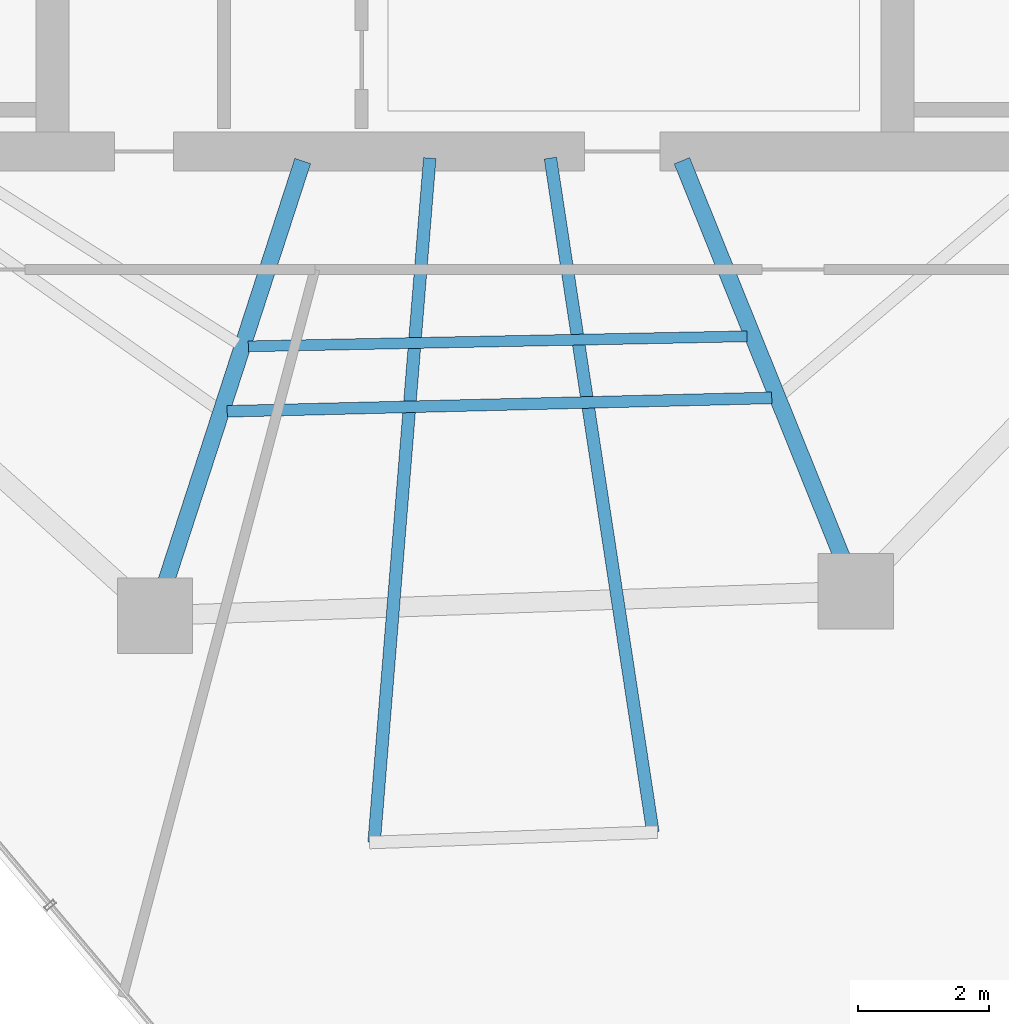
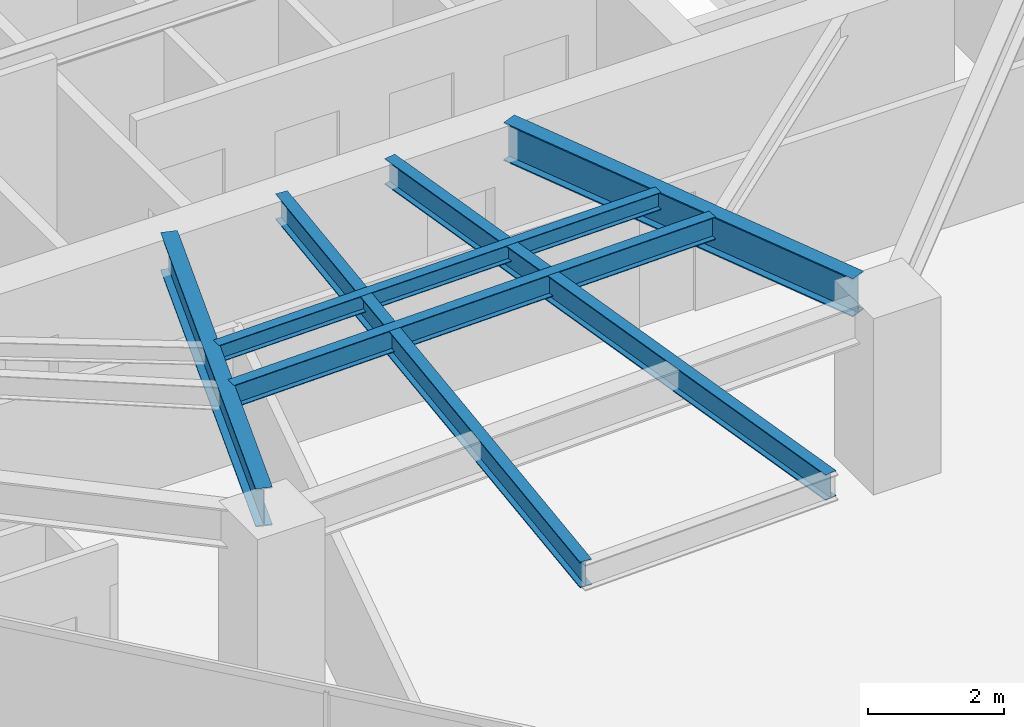
# One storey, part 6 of 27: 6 beams.
"""IFC4 building model written with IfcOpenShell, lengths in metres."""

from ifc_helpers import new_model, si_unit, direction, frame, origin, origin_2d, place, context, subcontext, project, spatial, i_section, extrude, material, material_profile, profile_set, type_object, element, save


model = new_model("IFC4")

# Units and contexts
model_context = context("Model", 3, precision=1e-05, world=origin(), true_north=direction((0.0, 1.0)))
body_context = subcontext(model_context, "Body", "Model", "MODEL_VIEW")
ifc_project = project(units=[si_unit("LENGTHUNIT", "METRE"), si_unit("AREAUNIT", "SQUARE_METRE"), si_unit("VOLUMEUNIT", "CUBIC_METRE"), si_unit("PLANEANGLEUNIT", "RADIAN"), si_unit("MASSUNIT", "GRAM", prefix="KILO")], contexts=[model_context])

# Site, building, storey
site_placement = place(None, origin())
site = spatial("IfcSite", under=ifc_project, at=site_placement, CompositionType="ELEMENT")
building_placement = place(site_placement, origin())
building = spatial("IfcBuilding", under=site, at=building_placement, Name="Qarnah Convention Tower", CompositionType="ELEMENT")
storey_placement = place(building_placement, frame((0.0, 0.0, 103.949951171875)))
storey = spatial("IfcBuildingStorey", under=building, at=storey_placement, Name="L27", CompositionType="ELEMENT", Elevation=103.949951171875)

# Beams
ifc_material = material(Name="Structural steel S355JR", Category="steel")
ifc_material_profile_1 = material_profile(ifc_material, i_section(OverallWidth=0.19189453125, OverallDepth=0.464111328125, WebThickness=0.010986328125, FlangeThickness=0.01806640625, at=origin_2d()), Name="W460X89")
ifc_profile_set_1 = profile_set([ifc_material_profile_1], Name="Structural steel S355JR")
beam_type_1 = type_object("IfcBeamType", Name="BM-CANT-W460A", PredefinedType="BEAM", material=ifc_profile_set_1)
beam_1_placement = place(storey_placement, frame((38.40087890625, 18.5009765625, 2.93798828125), z_axis=(0.150335373551, -0.988635056762, 0.0), x_axis=(0.988635056762, 0.150335373551, 0.0)))
element("IfcBeam", 1, at=beam_1_placement, inside=storey, type_object=beam_type_1, Name="L27 beam BM-L27-CNT-03-1", PredefinedType="BEAM", context=body_context, shape_type="SweptSolid", body=[
    extrude(i_section(OverallWidth=0.19189453125, OverallDepth=0.464111328125, WebThickness=0.010986328125, FlangeThickness=0.01806640625, at=origin_2d()), origin(), (0.0, 0.0, 1.0), 10.411376953125),
])
beam_2_placement = place(storey_placement, frame((36.55908203125, 18.5, 2.93798828125), z_axis=(-0.081026671921, -0.996711933528, 0.0), x_axis=(0.996711933528, -0.081026671921, 0.0)))
element("IfcBeam", 2, at=beam_2_placement, inside=storey, type_object=beam_type_1, Name="L27 beam BM-L27-CNT-03-2", PredefinedType="BEAM", context=body_context, shape_type="SweptSolid", body=[
    extrude(i_section(OverallWidth=0.19189453125, OverallDepth=0.464111328125, WebThickness=0.010986328125, FlangeThickness=0.01806640625, at=origin_2d()), origin(), (0.0, 0.0, 1.0), 10.4794921875),
])
ifc_material_profile_2 = material_profile(ifc_material, i_section(OverallWidth=0.166015625, OverallDepth=0.31201171875, WebThickness=0.007080078125, FlangeThickness=0.010986328125, at=origin_2d()), Name="W310X45")
ifc_profile_set_2 = profile_set([ifc_material_profile_2], Name="Structural steel S355JR")
beam_type_2 = type_object("IfcBeamType", Name="BM-JST-W310", PredefinedType="JOIST", material=ifc_profile_set_2)
beam_3_placement = place(storey_placement, frame((33.7890625, 15.626953125, 3.01416015625), z_axis=(0.999797848543, 0.020106268877, 0.0), x_axis=(-0.020106268877, 0.999797848543, 0.0)))
element("IfcBeam", 3, at=beam_3_placement, inside=storey, type_object=beam_type_2, Name="L27 joist BM-L27-IJST-07", PredefinedType="JOIST", context=body_context, shape_type="SweptSolid", body=[
    extrude(i_section(OverallWidth=0.166015625, OverallDepth=0.31201171875, WebThickness=0.007080078125, FlangeThickness=0.010986328125, at=origin_2d()), origin(), (0.0, 0.0, 1.0), 7.61328125),
])
ifc_material_profile_3 = material_profile(ifc_material, i_section(OverallWidth=0.177978515625, OverallDepth=0.407958984375, WebThickness=0.008056640625, FlangeThickness=0.012939453125, at=origin_2d()), Name="W410X60")
ifc_profile_set_3 = profile_set([ifc_material_profile_3], Name="Structural steel S355JR")
beam_type_3 = type_object("IfcBeamType", Name="BM-JST-W410", PredefinedType="JOIST", material=ifc_profile_set_3)
beam_4_placement = place(storey_placement, frame((33.467041015625, 14.635009765625, 2.966064453125), z_axis=(0.999695844153, 0.02466210012, 0.0), x_axis=(-0.02466210012, 0.999695844153, 0.0)))
element("IfcBeam", 4, at=beam_4_placement, inside=storey, type_object=beam_type_3, Name="L27 joist BM-L27-SJST-07", PredefinedType="JOIST", context=body_context, shape_type="SweptSolid", body=[
    extrude(i_section(OverallWidth=0.177978515625, OverallDepth=0.407958984375, WebThickness=0.008056640625, FlangeThickness=0.012939453125, at=origin_2d()), origin(), (0.0, 0.0, 1.0), 8.3154296875),
])
ifc_material_profile_4 = material_profile(ifc_material, i_section(OverallWidth=0.25390625, OverallDepth=0.68798828125, WebThickness=0.012939453125, FlangeThickness=0.02099609375, at=origin_2d()), Name="W690X152")
ifc_profile_set_4 = profile_set([ifc_material_profile_4], Name="Structural steel S355JR")
beam_type_4 = type_object("IfcBeamType", Name="BM-RAD-W690", PredefinedType="BEAM", material=ifc_profile_set_4)
beam_5_placement = place(storey_placement, frame((34.6201171875, 18.45703125, 2.825927734375), z_axis=(-0.30908279771, -0.951035132979, 0.0), x_axis=(0.951035132979, -0.30908279771, 0.0)))
element("IfcBeam", 5, at=beam_5_placement, inside=storey, type_object=beam_type_4, Name="L27 beam BM-L27-RAD-07", PredefinedType="BEAM", context=body_context, shape_type="SweptSolid", body=[
    extrude(i_section(OverallWidth=0.25390625, OverallDepth=0.68798828125, WebThickness=0.012939453125, FlangeThickness=0.02099609375, at=origin_2d()), origin(), (0.0, 0.0, 1.0), 6.7431640625),
])
beam_6_placement = place(storey_placement, frame((40.407958984375, 18.4609375, 2.825927734375), z_axis=(0.374642886347, -0.927169190445, 0.0), x_axis=(0.927169190445, 0.374642886347, 0.0)))
element("IfcBeam", 6, at=beam_6_placement, inside=storey, type_object=beam_type_4, Name="L27 beam BM-L27-RAD-08", PredefinedType="BEAM", context=body_context, shape_type="SweptSolid", body=[
    extrude(i_section(OverallWidth=0.25390625, OverallDepth=0.68798828125, WebThickness=0.012939453125, FlangeThickness=0.02099609375, at=origin_2d()), origin(), (0.0, 0.0, 1.0), 6.531494140625),
])

save(model, "model.ifc")
